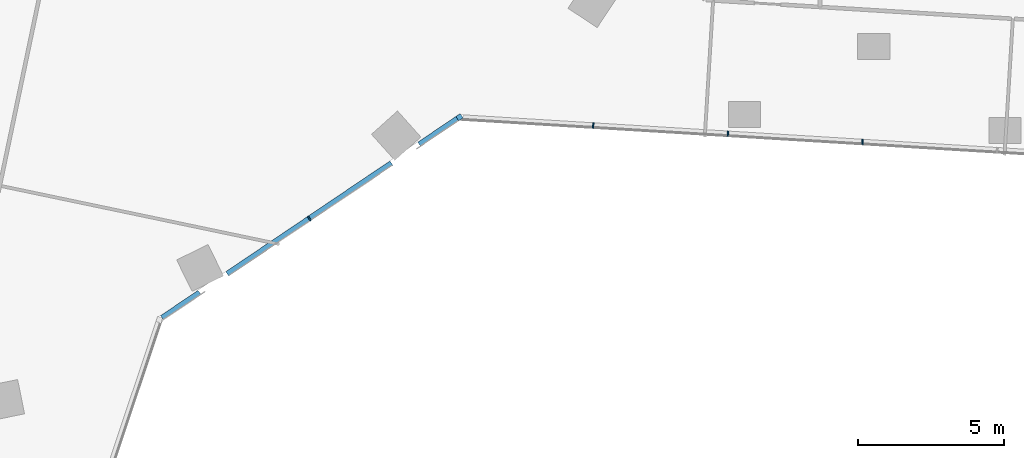
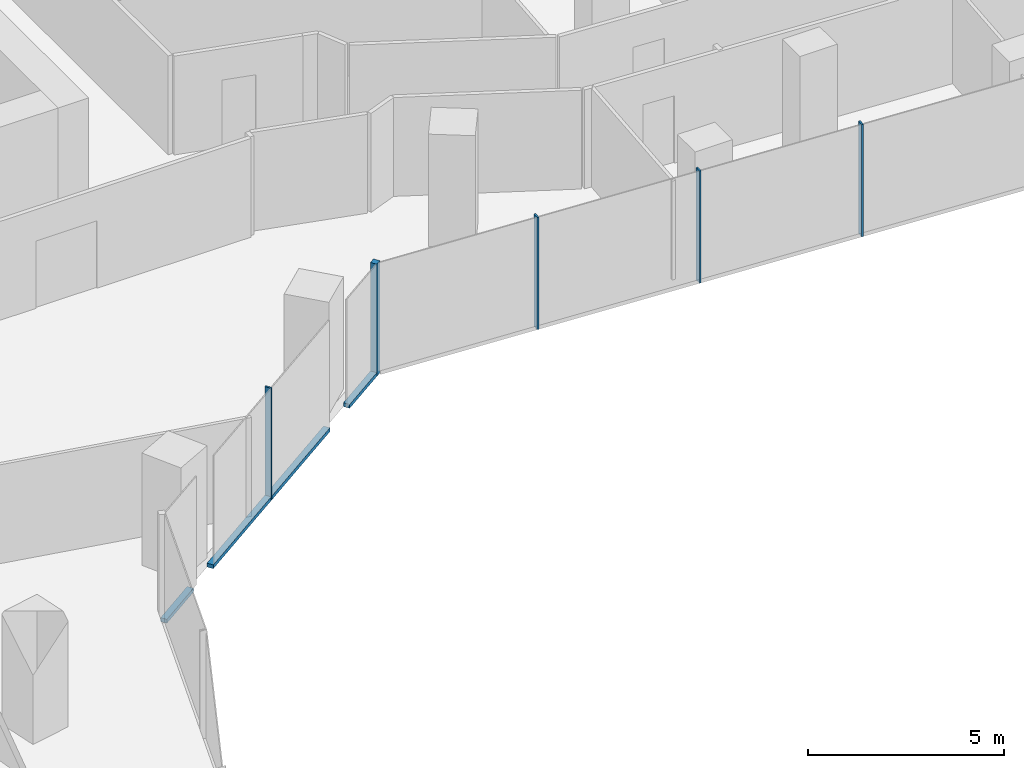
# One storey, part 7 of 32: 8 members, 2 elements without a shape of their own.
"""IFC4 building model written with IfcOpenShell, lengths in metres."""

from ifc_helpers import new_model, si_unit, direction, frame, origin, origin_2d, place, context, subcontext, project, spatial, rectangle, extrude, material, material_profile, profile_set, type_object, element, aggregate, save


model = new_model("IFC4")

# Units and contexts
model_context = context("Model", 3, precision=1e-05, world=origin(), true_north=direction((0.0, 1.0)))
body_context = subcontext(model_context, "Body", "Model", "MODEL_VIEW")
ifc_project = project(units=[si_unit("LENGTHUNIT", "METRE"), si_unit("AREAUNIT", "SQUARE_METRE"), si_unit("VOLUMEUNIT", "CUBIC_METRE"), si_unit("PLANEANGLEUNIT", "RADIAN"), si_unit("MASSUNIT", "GRAM", prefix="KILO")], contexts=[model_context])

# Site, building, storey
site_placement = place(None, origin())
site = spatial("IfcSite", under=ifc_project, at=site_placement, CompositionType="ELEMENT")
building_placement = place(site_placement, origin())
building = spatial("IfcBuilding", under=site, at=building_placement, Name="Orlundy Tower", CompositionType="ELEMENT")
storey_placement = place(building_placement, frame((0.0, 0.0, 152.60009765625)))
storey = spatial("IfcBuildingStorey", under=building, at=storey_placement, Name="L39", CompositionType="ELEMENT", Elevation=152.60009765625)

# Curtain wall, member
ifc_material_1 = material(Name="Aluminium bronze anodised", Category="aluminium")
curtain_wall_type = type_object("IfcCurtainWallType", Name="CW1 wall", PredefinedType="NOTDEFINED", material=ifc_material_1)
curtain_wall_1_placement = place(storey_placement, origin())
curtain_wall_1 = element("IfcCurtainWall", 1, at=curtain_wall_1_placement, inside=storey, type_object=curtain_wall_type, Name="CW1 run 01", PredefinedType="NOTDEFINED")
ifc_material_2 = material(Name="Aluminium bronze anodised", Category="aluminium")
ifc_material_profile_1 = material_profile(ifc_material_2, rectangle(XDim=0.179931640625, YDim=0.179931640625, at=origin_2d()), Name="CW1 corner post 180x180")
ifc_profile_set_1 = profile_set([ifc_material_profile_1], Name="Aluminium bronze anodised")
member_type_1 = type_object("IfcMemberType", Name="CW1 corner post 180x180", PredefinedType="MULLION", material=ifc_profile_set_1)
member_1_placement = place(storey_placement, frame((21.97705078125, -21.4716796875, -0.400146484375), z_axis=(0.0, 0.0, 1.0), x_axis=(0.559164711565, -0.829056587538, 0.0)))
member_1 = element("IfcMember", 2, at=member_1_placement, type_object=member_type_1, Name="CW1 mullion 7", PredefinedType="MULLION", context=body_context, shape_type="SweptSolid", body=[
    extrude(rectangle(XDim=0.179931640625, YDim=0.179931640625, at=origin_2d()), origin(), (0.0, 0.0, 1.0), 3.5),
])

# Curtain wall, members
curtain_wall_2_placement = place(storey_placement, origin())
curtain_wall_2 = element("IfcCurtainWall", 3, at=curtain_wall_2_placement, inside=storey, type_object=curtain_wall_type, Name="CW1 run 00", PredefinedType="NOTDEFINED")
ifc_material_3 = material(Name="Aluminium bronze anodised", Category="aluminium")
ifc_material_profile_2 = material_profile(ifc_material_3, rectangle(XDim=0.179931640625, YDim=0.050048828125, at=origin_2d()), Name="CW1 mullion 50x180")
ifc_profile_set_2 = profile_set([ifc_material_profile_2], Name="Aluminium bronze anodised")
member_type_2 = type_object("IfcMemberType", Name="CW1 mullion 50x180", PredefinedType="MULLION", material=ifc_profile_set_2)
member_2_placement = place(storey_placement, frame((35.8125, -22.31787109375, -0.400146484375), z_axis=(0.0, 0.0, 1.0), x_axis=(-0.061042738341, -0.998135153221, 0.0)))
member_2 = element("IfcMember", 4, at=member_2_placement, type_object=member_type_2, Name="CW1 mullion 4", PredefinedType="MULLION", context=body_context, shape_type="SweptSolid", body=[
    extrude(rectangle(XDim=0.179931640625, YDim=0.050048828125, at=origin_2d()), origin(), (0.0, 0.0, 1.0), 3.5),
])
member_3_placement = place(storey_placement, frame((31.1904296875, -22.03515625, -0.400146484375), z_axis=(0.0, 0.0, 1.0), x_axis=(-0.061042738341, -0.998135153221, 0.0)))
member_3 = element("IfcMember", 5, at=member_3_placement, type_object=member_type_2, Name="CW1 mullion 5", PredefinedType="MULLION", context=body_context, shape_type="SweptSolid", body=[
    extrude(rectangle(XDim=0.179931640625, YDim=0.050048828125, at=origin_2d()), origin(), (0.0, 0.0, 1.0), 3.5),
])
member_4_placement = place(storey_placement, frame((26.568603515625, -21.75244140625, -0.400146484375), z_axis=(0.0, 0.0, 1.0), x_axis=(-0.061042738341, -0.998135153221, 0.0)))
member_4 = element("IfcMember", 6, at=member_4_placement, type_object=member_type_2, Name="CW1 mullion 6", PredefinedType="MULLION", context=body_context, shape_type="SweptSolid", body=[
    extrude(rectangle(XDim=0.179931640625, YDim=0.050048828125, at=origin_2d()), origin(), (0.0, 0.0, 1.0), 3.5),
])
aggregate(curtain_wall_2, [member_2, member_3, member_4])

# Member
member_5_placement = place(storey_placement, frame((16.826416015625, -24.945556640625, -0.400146484375), z_axis=(0.0, 0.0, 1.0), x_axis=(0.559164711565, -0.829056587538, 0.0)))
member_5 = element("IfcMember", 7, at=member_5_placement, type_object=member_type_2, Name="CW1 mullion 8", PredefinedType="MULLION", context=body_context, shape_type="SweptSolid", body=[
    extrude(rectangle(XDim=0.179931640625, YDim=0.050048828125, at=origin_2d()), origin(), (0.0, 0.0, 1.0), 3.5),
])

ifc_material_4 = material(Name="Aluminium bronze anodised", Category="aluminium")
ifc_material_profile_3 = material_profile(ifc_material_4, rectangle(XDim=0.179931640625, YDim=0.1201171875, at=origin_2d()), Name="CW1 transom 180x120")
ifc_profile_set_3 = profile_set([ifc_material_profile_3], Name="Aluminium bronze anodised")
member_type_3 = type_object("IfcMemberType", Name="CW1 transom 180x120", PredefinedType="USERDEFINED", material=ifc_profile_set_3)
member_6_placement = place(storey_placement, frame((21.90234375, -21.52197265625, -0.340087890625), z_axis=(-0.829010314493, -0.559233313085, 0.0), x_axis=(0.559233313085, -0.829010314493, 0.0)))
member_6 = element("IfcMember", 8, at=member_6_placement, type_object=member_type_3, Name="CW1 transom", ObjectType="TRANSOM", PredefinedType="USERDEFINED", context=body_context, shape_type="SweptSolid", body=[
    extrude(rectangle(XDim=0.179931640625, YDim=0.1201171875, at=origin_2d()), origin(), (0.0, 0.0, 1.0), 1.575439453125),
])

member_7_placement = place(storey_placement, frame((19.64306640625, -23.0458984375, -0.340087890625), z_axis=(-0.829070192191, -0.559144539828, 0.0), x_axis=(0.559144539828, -0.829070192191, 0.0)))
member_7 = element("IfcMember", 9, at=member_7_placement, type_object=member_type_3, Name="CW1 transom", ObjectType="TRANSOM", PredefinedType="USERDEFINED", context=body_context, shape_type="SweptSolid", body=[
    extrude(rectangle(XDim=0.179931640625, YDim=0.1201171875, at=origin_2d()), origin(), (0.0, 0.0, 1.0), 6.79541015625),
])

member_8_placement = place(storey_placement, frame((13.0546875, -27.4892578125, -0.340087890625), z_axis=(-0.828960042041, -0.55930783, 0.0), x_axis=(0.55930783, -0.828960042041, 0.0)))
member_8 = element("IfcMember", 10, at=member_8_placement, type_object=member_type_3, Name="CW1 transom", ObjectType="TRANSOM", PredefinedType="USERDEFINED", context=body_context, shape_type="SweptSolid", body=[
    extrude(rectangle(XDim=0.179931640625, YDim=0.1201171875, at=origin_2d()), origin(), (0.0, 0.0, 1.0), 1.550048828125),
])

aggregate(curtain_wall_1, [member_1, member_5, member_6, member_7, member_8])

save(model, "model.ifc")
